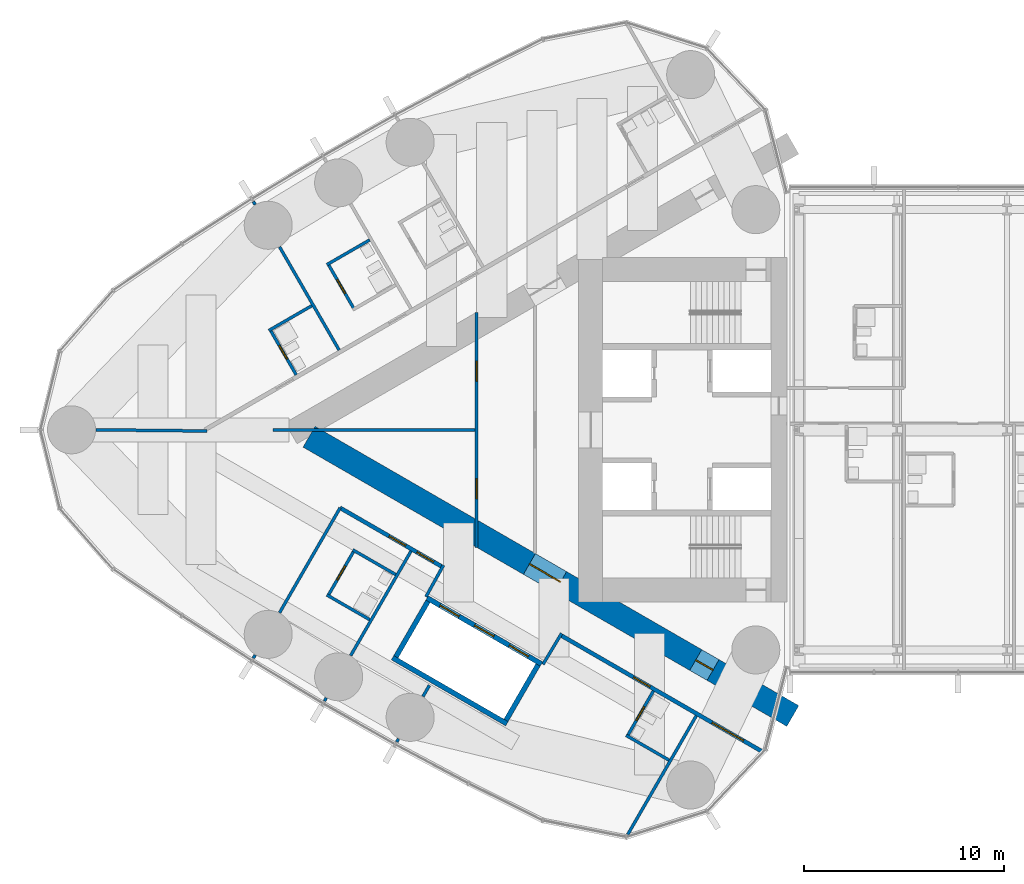
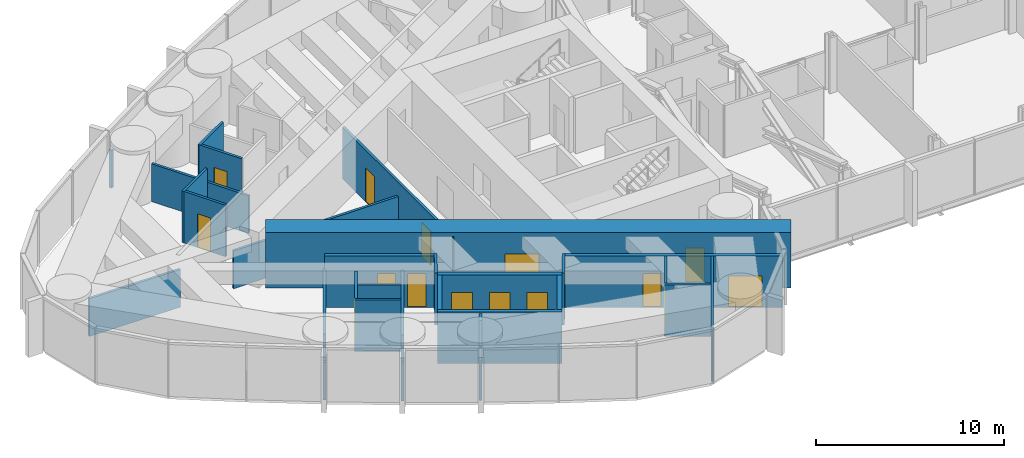
# One storey, part 15 of 24: 30 walls, 15 doors, 15 openings.
"""IFC4 building model written with IfcOpenShell, lengths in metres."""

from ifc_helpers import new_model, si_unit, direction, frame, frame_2d, origin, place, context, subcontext, project, spatial, rectangle, extrude, material, layer, layer_set, type_object, element, fill, save


model = new_model("IFC4")

# Units and contexts
model_context = context("Model", 3, precision=1e-05, world=origin(), true_north=direction((0.0, 1.0)))
body_context = subcontext(model_context, "Body", "Model", "MODEL_VIEW")
ifc_project = project(units=[si_unit("LENGTHUNIT", "METRE"), si_unit("AREAUNIT", "SQUARE_METRE"), si_unit("VOLUMEUNIT", "CUBIC_METRE"), si_unit("PLANEANGLEUNIT", "RADIAN"), si_unit("MASSUNIT", "GRAM", prefix="KILO")], contexts=[model_context])

# Site, building, storey
site_placement = place(None, origin())
site = spatial("IfcSite", under=ifc_project, at=site_placement, CompositionType="ELEMENT")
building_placement = place(site_placement, origin())
building = spatial("IfcBuilding", under=site, at=building_placement, Name="Lancet Gate Hotel", CompositionType="ELEMENT")
storey_placement = place(building_placement, frame((0.0, 0.0, 236.89990234375)))
storey = spatial("IfcBuildingStorey", under=building, at=storey_placement, Name="L63", CompositionType="ELEMENT", Elevation=236.89990234375)

# Wall
ifc_material_1 = material(Name="Moisture resistant board partition")
ifc_layer_1 = layer(ifc_material_1, 0.14990234375)
ifc_layer_set_1 = layer_set([ifc_layer_1], Name="Bathroom wall 150")
wall_type_1 = type_object("IfcWallType", Name="Bathroom wall 150", PredefinedType="PARTITIONING", material=ifc_layer_set_1)
wall_1_placement = place(storey_placement, frame((-48.338623046875, 9.485595703125, 0.0), z_axis=(0.0, 0.0, 1.0), x_axis=(-0.866006523861, -0.500032699561, 0.0)))
element("IfcWall", 1, at=wall_1_placement, inside=storey, type_object=wall_type_1, Name="T1 bathroom wall 150 L63", PredefinedType="PARTITIONING", context=body_context, shape_type="SweptSolid", body=[
    extrude(rectangle(XDim=2.474853515625, YDim=0.14990234375, at=frame_2d((1.2373046875, 0.0))), origin(), (0.0, 0.0, 1.0), 3.35009765625),
])

# Wall, opening, door
wall_2_placement = place(storey_placement, frame((-49.116943359375, 6.033935546875, 0.0), z_axis=(0.0, 0.0, 1.0), x_axis=(-0.500006934395, 0.866021400173, 0.0)))
wall_2 = element("IfcWall", 2, at=wall_2_placement, inside=storey, type_object=wall_type_1, Name="T1 bathroom wall 150 L63", PredefinedType="PARTITIONING", context=body_context, shape_type="SweptSolid", body=[
    extrude(rectangle(XDim=2.60009765625, YDim=0.14990234375, at=frame_2d((1.300048828125, 0.0))), origin(), (0.0, 0.0, 1.0), 3.35009765625),
])
opening_1_placement = place(wall_2_placement, frame((0.89990234375, 0.0, 0.0)))
opening_1 = element("IfcOpeningElement", 3, at=opening_1_placement, cuts=wall_2, Name="Opening 6304-B", PredefinedType="OPENING", context=body_context, shape_type="SweptSolid", body=[
    extrude(rectangle(XDim=0.800048828125, YDim=2.199951171875, at=frame_2d((0.39990234375, 1.10009765625))), frame((0.0, 0.0849609375, 0.0), z_axis=(0.0, -1.0, 0.0), x_axis=(1.0, 0.0, 0.0)), (0.0, 0.0, 1.0), 0.169921875),
])
ifc_material_2 = material(Name="Timber door set", Category="wood")
door_type_1 = type_object("IfcDoorType", Name="Bathroom door 800", OperationType="SINGLE_SWING_RIGHT", PredefinedType="DOOR", material=ifc_material_2)
door_1_placement = place(opening_1_placement, origin())
door_1 = element("IfcDoor", 4, at=door_1_placement, inside=storey, type_object=door_type_1, Name="6304-B", OperationType="SINGLE_SWING_RIGHT", OverallHeight=2.199951171875, OverallWidth=0.800048828125, PredefinedType="DOOR", context=body_context, shape_type="SweptSolid", body=[
    extrude(rectangle(XDim=0.800048828125, YDim=2.199951171875, at=frame_2d((0.39990234375, 1.10009765625))), frame((0.0, 0.02490234375, 0.0), z_axis=(0.0, -1.0, 0.0), x_axis=(1.0, 0.0, 0.0)), (0.0, 0.0, 1.0), 0.050048828125),
])
fill(opening_1, door_1)

# Wall
wall_3_placement = place(storey_placement, frame((-51.231201171875, 6.198974609375, 0.0), z_axis=(0.0, 0.0, 1.0), x_axis=(-0.866031185235, -0.4999899861, 0.0)))
element("IfcWall", 5, at=wall_3_placement, inside=storey, type_object=wall_type_1, Name="T1 bathroom wall 150 L63", PredefinedType="PARTITIONING", context=body_context, shape_type="SweptSolid", body=[
    extrude(rectangle(XDim=2.47509765625, YDim=0.14990234375, at=frame_2d((1.237548828125, 0.0))), origin(), (0.0, 0.0, 1.0), 3.35009765625),
])

# Wall, opening, door
wall_4_placement = place(storey_placement, frame((-52.009765625, 2.747314453125, 0.0), z_axis=(0.0, 0.0, 1.0), x_axis=(-0.500006934395, 0.866021400173, 0.0)))
wall_4 = element("IfcWall", 6, at=wall_4_placement, inside=storey, type_object=wall_type_1, Name="T1 bathroom wall 150 L63", PredefinedType="PARTITIONING", context=body_context, shape_type="SweptSolid", body=[
    extrude(rectangle(XDim=2.60009765625, YDim=0.14990234375, at=frame_2d((1.300048828125, 0.0))), origin(), (0.0, 0.0, 1.0), 3.35009765625),
])
opening_2_placement = place(wall_4_placement, frame((0.89990234375, 0.0, 0.0)))
opening_2 = element("IfcOpeningElement", 7, at=opening_2_placement, cuts=wall_4, Name="Opening 6305-B", PredefinedType="OPENING", context=body_context, shape_type="SweptSolid", body=[
    extrude(rectangle(XDim=0.800048828125, YDim=2.199951171875, at=frame_2d((0.39990234375, 1.10009765625))), frame((0.0, 0.0849609375, 0.0), z_axis=(0.0, -1.0, 0.0), x_axis=(1.0, 0.0, 0.0)), (0.0, 0.0, 1.0), 0.169921875),
])
door_2_placement = place(opening_2_placement, origin())
door_2 = element("IfcDoor", 8, at=door_2_placement, inside=storey, type_object=door_type_1, Name="6305-B", OperationType="SINGLE_SWING_RIGHT", OverallHeight=2.199951171875, OverallWidth=0.800048828125, PredefinedType="DOOR", context=body_context, shape_type="SweptSolid", body=[
    extrude(rectangle(XDim=0.800048828125, YDim=2.199951171875, at=frame_2d((0.39990234375, 1.10009765625))), frame((0.0, 0.02490234375, 0.0), z_axis=(0.0, -1.0, 0.0), x_axis=(1.0, 0.0, 0.0)), (0.0, 0.0, 1.0), 0.050048828125),
])
fill(opening_2, door_2)

# Wall
wall_5_placement = place(storey_placement, frame((-48.338623046875, -9.485595703125, 0.0), z_axis=(0.0, 0.0, 1.0), x_axis=(-0.866006523861, 0.500032699561, 0.0)))
element("IfcWall", 9, at=wall_5_placement, inside=storey, type_object=wall_type_1, Name="T1 bathroom wall 150 L63", PredefinedType="PARTITIONING", context=body_context, shape_type="SweptSolid", body=[
    extrude(rectangle(XDim=2.474853515625, YDim=0.14990234375, at=frame_2d((1.2373046875, 0.0))), origin(), (0.0, 0.0, 1.0), 3.35009765625),
])

# Wall, opening, door
wall_6_placement = place(storey_placement, frame((-49.116943359375, -6.033935546875, 0.0), z_axis=(0.0, 0.0, 1.0), x_axis=(-0.500006934395, -0.866021400173, 0.0)))
wall_6 = element("IfcWall", 10, at=wall_6_placement, inside=storey, type_object=wall_type_1, Name="T1 bathroom wall 150 L63", PredefinedType="PARTITIONING", context=body_context, shape_type="SweptSolid", body=[
    extrude(rectangle(XDim=2.60009765625, YDim=0.14990234375, at=frame_2d((1.300048828125, 0.0))), origin(), (0.0, 0.0, 1.0), 3.35009765625),
])
opening_3_placement = place(wall_6_placement, frame((0.89990234375, 0.0, 0.0)))
opening_3 = element("IfcOpeningElement", 11, at=opening_3_placement, cuts=wall_6, Name="Opening 6307-B", PredefinedType="OPENING", context=body_context, shape_type="SweptSolid", body=[
    extrude(rectangle(XDim=0.800048828125, YDim=2.199951171875, at=frame_2d((0.39990234375, 1.10009765625))), frame((0.0, 0.0849609375, 0.0), z_axis=(0.0, -1.0, 0.0), x_axis=(1.0, 0.0, 0.0)), (0.0, 0.0, 1.0), 0.169921875),
])
door_3_placement = place(opening_3_placement, origin())
door_3 = element("IfcDoor", 12, at=door_3_placement, inside=storey, type_object=door_type_1, Name="6307-B", OperationType="SINGLE_SWING_RIGHT", OverallHeight=2.199951171875, OverallWidth=0.800048828125, PredefinedType="DOOR", context=body_context, shape_type="SweptSolid", body=[
    extrude(rectangle(XDim=0.800048828125, YDim=2.199951171875, at=frame_2d((0.39990234375, 1.10009765625))), frame((0.0, 0.02490234375, 0.0), z_axis=(0.0, -1.0, 0.0), x_axis=(1.0, 0.0, 0.0)), (0.0, 0.0, 1.0), 0.050048828125),
])
fill(opening_3, door_3)

# Walls
wall_7_placement = place(storey_placement, frame((-47.03857421875, -7.23388671875, 0.0), z_axis=(0.0, 0.0, 1.0), x_axis=(-0.866073894602, 0.499916002032, 0.0)))
element("IfcWall", 13, at=wall_7_placement, inside=storey, type_object=wall_type_1, Name="T1 bathroom wall 150 L63", PredefinedType="PARTITIONING", context=body_context, shape_type="SweptSolid", body=[
    extrude(rectangle(XDim=2.47509765625, YDim=0.14990234375, at=frame_2d((1.237548828125, 0.0))), origin(), (0.0, 0.0, 1.0), 2.5),
])
wall_8_placement = place(storey_placement, frame((-33.38671875, -16.501708984375, 0.0), z_axis=(0.0, 0.0, 1.0), x_axis=(-0.866006523861, 0.500032699561, 0.0)))
element("IfcWall", 14, at=wall_8_placement, inside=storey, type_object=wall_type_1, Name="T1 bathroom wall 150 L63", PredefinedType="PARTITIONING", context=body_context, shape_type="SweptSolid", body=[
    extrude(rectangle(XDim=2.474853515625, YDim=0.14990234375, at=frame_2d((1.2373046875, 0.0))), origin(), (0.0, 0.0, 1.0), 3.35009765625),
])

# Wall, opening, door
wall_9_placement = place(storey_placement, frame((-34.1650390625, -13.050048828125, 0.0), z_axis=(0.0, 0.0, 1.0), x_axis=(-0.500047596559, -0.865997922154, 0.0)))
wall_9 = element("IfcWall", 15, at=wall_9_placement, inside=storey, type_object=wall_type_1, Name="T1 bathroom wall 150 L63", PredefinedType="PARTITIONING", context=body_context, shape_type="SweptSolid", body=[
    extrude(rectangle(XDim=2.599853515625, YDim=0.14990234375, at=frame_2d((1.2998046875, 0.0))), origin(), (0.0, 0.0, 1.0), 3.35009765625),
])
opening_4_placement = place(wall_9_placement, frame((0.89990234375, 0.0, 0.0)))
opening_4 = element("IfcOpeningElement", 16, at=opening_4_placement, cuts=wall_9, Name="Opening 6309-B", PredefinedType="OPENING", context=body_context, shape_type="SweptSolid", body=[
    extrude(rectangle(XDim=0.800048828125, YDim=2.199951171875, at=frame_2d((0.39990234375, 1.10009765625))), frame((0.0, 0.0849609375, 0.0), z_axis=(0.0, -1.0, 0.0), x_axis=(1.0, 0.0, 0.0)), (0.0, 0.0, 1.0), 0.169921875),
])
door_4_placement = place(opening_4_placement, origin())
door_4 = element("IfcDoor", 17, at=door_4_placement, inside=storey, type_object=door_type_1, Name="6309-B", OperationType="SINGLE_SWING_RIGHT", OverallHeight=2.199951171875, OverallWidth=0.800048828125, PredefinedType="DOOR", context=body_context, shape_type="SweptSolid", body=[
    extrude(rectangle(XDim=0.800048828125, YDim=2.199951171875, at=frame_2d((0.39990234375, 1.10009765625))), frame((0.0, 0.02490234375, 0.0), z_axis=(0.0, -1.0, 0.0), x_axis=(1.0, 0.0, 0.0)), (0.0, 0.0, 1.0), 0.050048828125),
])
fill(opening_4, door_4)

# Wall, openings, doors
ifc_material_3 = material(Name="Concrete C70/85", Category="concrete")
ifc_layer_2 = layer(ifc_material_3, 1.199951171875)
ifc_layer_set_2 = layer_set([ifc_layer_2], Name="Buttress wall 1200")
wall_type_2 = type_object("IfcWallType", Name="Buttress wall 1200", PredefinedType="SHEAR", material=ifc_layer_set_2)
wall_10_placement = place(storey_placement, frame((-27.199951171875, -14.300048828125, 0.0), z_axis=(0.0, 0.0, 1.0), x_axis=(-0.866024021859, 0.500002393557, 0.0)))
wall_10 = element("IfcWall", 18, at=wall_10_placement, inside=storey, type_object=wall_type_2, Name="T1 buttress wall N L63", PredefinedType="SHEAR", context=body_context, shape_type="SweptSolid", body=[
    extrude(rectangle(XDim=27.906982421875, YDim=1.199951171875, at=frame_2d((13.95361328125, 0.0))), origin(), (0.0, 0.0, 1.0), 3.60009765625),
])
opening_5_placement = place(wall_10_placement, frame((4.60009765625, 0.0, 0.0)))
opening_5 = element("IfcOpeningElement", 19, at=opening_5_placement, cuts=wall_10, Name="Opening T1-L63-LN", PredefinedType="OPENING", context=body_context, shape_type="SweptSolid", body=[
    extrude(rectangle(XDim=1.0, YDim=2.199951171875, at=frame_2d((0.5, 1.10009765625))), frame((0.0, 0.60986328125, 0.0), z_axis=(0.0, -1.0, 0.0), x_axis=(1.0, 0.0, 0.0)), (0.0, 0.0, 1.0), 1.219970703125),
])
opening_6_placement = place(wall_10_placement, frame((13.39453125, 0.0, 0.0)))
opening_6 = element("IfcOpeningElement", 20, at=opening_6_placement, cuts=wall_10, Name="Opening T1-L63-LHN", PredefinedType="OPENING", context=body_context, shape_type="SweptSolid", body=[
    extrude(rectangle(XDim=1.800048828125, YDim=2.199951171875, at=frame_2d((0.89990234375, 1.10009765625))), frame((0.0, 0.60986328125, 0.0), z_axis=(0.0, -1.0, 0.0), x_axis=(1.0, 0.0, 0.0)), (0.0, 0.0, 1.0), 1.219970703125),
])
ifc_material_4 = material(Name="Timber door set", Category="wood")
door_type_2 = type_object("IfcDoorType", Name="Lobby double door 1800", OperationType="DOUBLE_DOOR_SINGLE_SWING", PredefinedType="DOOR", material=ifc_material_4)
door_5_placement = place(opening_6_placement, origin())
door_5 = element("IfcDoor", 21, at=door_5_placement, inside=storey, type_object=door_type_2, Name="T1-L63-LHN", OperationType="DOUBLE_DOOR_SINGLE_SWING", OverallHeight=2.199951171875, OverallWidth=1.800048828125, PredefinedType="DOOR", context=body_context, shape_type="SweptSolid", body=[
    extrude(rectangle(XDim=1.800048828125, YDim=2.199951171875, at=frame_2d((0.89990234375, 1.10009765625))), frame((0.0, 0.02490234375, 0.0), z_axis=(0.0, -1.0, 0.0), x_axis=(1.0, 0.0, 0.0)), (0.0, 0.0, 1.0), 0.050048828125),
])
fill(opening_6, door_5)
ifc_material_5 = material(Name="Timber door set", Category="wood")
door_type_3 = type_object("IfcDoorType", Name="Stair lobby door 1000", OperationType="SINGLE_SWING_LEFT", PredefinedType="DOOR", material=ifc_material_5)
door_6_placement = place(opening_5_placement, origin())
door_6 = element("IfcDoor", 22, at=door_6_placement, inside=storey, type_object=door_type_3, Name="T1-L63-LN", OperationType="SINGLE_SWING_LEFT", OverallHeight=2.199951171875, OverallWidth=1.0, PredefinedType="DOOR", context=body_context, shape_type="SweptSolid", body=[
    extrude(rectangle(XDim=1.0, YDim=2.199951171875, at=frame_2d((0.5, 1.10009765625))), frame((0.0, 0.02490234375, 0.0), z_axis=(0.0, -1.0, 0.0), x_axis=(1.0, 0.0, 0.0)), (0.0, 0.0, 1.0), 0.050048828125),
])
fill(opening_5, door_6)

ifc_material_6 = material(Name="Gypsum board partition")
ifc_layer_3 = layer(ifc_material_6, 0.199951171875)
ifc_layer_set_3 = layer_set([ifc_layer_3], Name="Corridor wall 200")
wall_type_3 = type_object("IfcWallType", Name="Corridor wall 200", PredefinedType="PARTITIONING", material=ifc_layer_set_3)
wall_11_placement = place(storey_placement, frame((-28.737060546875, -16.068359375, 0.0), z_axis=(0.0, 0.0, 1.0), x_axis=(-0.866029399323, 0.49999307946, 0.0)))
wall_11 = element("IfcWall", 23, at=wall_11_placement, inside=storey, type_object=wall_type_3, Name="T1 corridor wall 200 L63", PredefinedType="PARTITIONING", context=body_context, shape_type="SweptSolid", body=[
    extrude(rectangle(XDim=11.609619140625, YDim=0.199951171875, at=frame_2d((5.8046875, 0.0))), origin(), (0.0, 0.0, 1.0), 3.35009765625),
])
opening_7_placement = place(wall_11_placement, frame((1.080078125, 0.0, 0.0)))
opening_7 = element("IfcOpeningElement", 24, at=opening_7_placement, cuts=wall_11, Name="Opening 6310-E", PredefinedType="OPENING", context=body_context, shape_type="SweptSolid", body=[
    extrude(rectangle(XDim=1.800048828125, YDim=2.030029296875, at=frame_2d((0.89990234375, 1.01513671875))), frame((0.0, 0.10986328125, 0.0), z_axis=(0.0, -1.0, 0.0), x_axis=(1.0, 0.0, 0.0)), (0.0, 0.0, 1.0), 0.219970703125),
])
opening_8_placement = place(wall_11_placement, frame((6.460205078125, 0.0, 0.0)))
opening_8 = element("IfcOpeningElement", 25, at=opening_8_placement, cuts=wall_11, Name="Opening 6309-E", PredefinedType="OPENING", context=body_context, shape_type="SweptSolid", body=[
    extrude(rectangle(XDim=0.949951171875, YDim=2.199951171875, at=frame_2d((0.47509765625, 1.10009765625))), frame((0.0, 0.10986328125, 0.0), z_axis=(0.0, -1.0, 0.0), x_axis=(1.0, 0.0, 0.0)), (0.0, 0.0, 1.0), 0.219970703125),
])
ifc_material_7 = material(Name="Timber door set", Category="wood")
door_type_4 = type_object("IfcDoorType", Name="Double door 1800, 2030 high", OperationType="DOUBLE_DOOR_SINGLE_SWING", PredefinedType="DOOR", material=ifc_material_7)
door_7_placement = place(opening_7_placement, origin())
door_7 = element("IfcDoor", 26, at=door_7_placement, inside=storey, type_object=door_type_4, Name="6310-E", OperationType="DOUBLE_DOOR_SINGLE_SWING", OverallHeight=2.030029296875, OverallWidth=1.800048828125, PredefinedType="DOOR", context=body_context, shape_type="SweptSolid", body=[
    extrude(rectangle(XDim=1.800048828125, YDim=2.030029296875, at=frame_2d((0.89990234375, 1.01513671875))), frame((0.0, 0.02490234375, 0.0), z_axis=(0.0, -1.0, 0.0), x_axis=(1.0, 0.0, 0.0)), (0.0, 0.0, 1.0), 0.050048828125),
])
fill(opening_7, door_7)
ifc_material_8 = material(Name="Timber door set", Category="wood")
door_type_5 = type_object("IfcDoorType", Name="Guest room entry door 950", OperationType="SINGLE_SWING_LEFT", PredefinedType="DOOR", material=ifc_material_8)
door_8_placement = place(opening_8_placement, origin())
door_8 = element("IfcDoor", 27, at=door_8_placement, inside=storey, type_object=door_type_5, Name="6309-E", OperationType="SINGLE_SWING_LEFT", OverallHeight=2.199951171875, OverallWidth=0.949951171875, PredefinedType="DOOR", context=body_context, shape_type="SweptSolid", body=[
    extrude(rectangle(XDim=0.949951171875, YDim=2.199951171875, at=frame_2d((0.47509765625, 1.10009765625))), frame((0.0, 0.02490234375, 0.0), z_axis=(0.0, -1.0, 0.0), x_axis=(1.0, 0.0, 0.0)), (0.0, 0.0, 1.0), 0.050048828125),
])
fill(opening_8, door_8)

wall_12_placement = place(storey_placement, frame((-44.715087890625, -6.843505859375, 0.0), z_axis=(0.0, 0.0, 1.0), x_axis=(-0.866020627653, 0.50000827241, 0.0)))
wall_12 = element("IfcWall", 28, at=wall_12_placement, inside=storey, type_object=wall_type_3, Name="T1 corridor wall 200 L63", PredefinedType="PARTITIONING", context=body_context, shape_type="SweptSolid", body=[
    extrude(rectangle(XDim=5.890625, YDim=0.199951171875, at=frame_2d((2.9453125, 0.0))), origin(), (0.0, 0.0, 1.0), 3.35009765625),
])
opening_9_placement = place(wall_12_placement, frame((2.116943359375, 0.0, 0.0)))
opening_9 = element("IfcOpeningElement", 29, at=opening_9_placement, cuts=wall_12, Name="Opening 6307-E", PredefinedType="OPENING", context=body_context, shape_type="SweptSolid", body=[
    extrude(rectangle(XDim=0.949951171875, YDim=2.199951171875, at=frame_2d((0.47509765625, 1.10009765625))), frame((0.0, 0.10986328125, 0.0), z_axis=(0.0, -1.0, 0.0), x_axis=(1.0, 0.0, 0.0)), (0.0, 0.0, 1.0), 0.219970703125),
])
opening_10_placement = place(wall_12_placement, frame((0.5, 0.0, 0.0)))
opening_10 = element("IfcOpeningElement", 30, at=opening_10_placement, cuts=wall_12, Name="Opening T1-L63-LO1", PredefinedType="OPENING", context=body_context, shape_type="SweptSolid", body=[
    extrude(rectangle(XDim=0.967041015625, YDim=2.199951171875, at=frame_2d((0.4833984375, 1.10009765625))), frame((0.0, 0.10986328125, 0.0), z_axis=(0.0, -1.0, 0.0), x_axis=(1.0, 0.0, 0.0)), (0.0, 0.0, 1.0), 0.219970703125),
])
door_9_placement = place(opening_9_placement, origin())
door_9 = element("IfcDoor", 31, at=door_9_placement, inside=storey, type_object=door_type_5, Name="6307-E", OperationType="SINGLE_SWING_LEFT", OverallHeight=2.199951171875, OverallWidth=0.949951171875, PredefinedType="DOOR", context=body_context, shape_type="SweptSolid", body=[
    extrude(rectangle(XDim=0.949951171875, YDim=2.199951171875, at=frame_2d((0.47509765625, 1.10009765625))), frame((0.0, 0.02490234375, 0.0), z_axis=(0.0, -1.0, 0.0), x_axis=(1.0, 0.0, 0.0)), (0.0, 0.0, 1.0), 0.050048828125),
])
fill(opening_9, door_9)
door_10_placement = place(opening_10_placement, origin())
door_10 = element("IfcDoor", 32, at=door_10_placement, inside=storey, type_object=door_type_5, Name="T1-L63-LO1", OperationType="SINGLE_SWING_LEFT", OverallHeight=2.199951171875, OverallWidth=0.967041015625, PredefinedType="DOOR", context=body_context, shape_type="SweptSolid", body=[
    extrude(rectangle(XDim=0.967041015625, YDim=2.199951171875, at=frame_2d((0.4833984375, 1.10009765625))), frame((0.0, 0.02490234375, 0.0), z_axis=(0.0, -1.0, 0.0), x_axis=(1.0, 0.0, 0.0)), (0.0, 0.0, 1.0), 0.050048828125),
])
fill(opening_10, door_10)

ifc_material_9 = material(Name="Gypsum board partition")
ifc_layer_4 = layer(ifc_material_9, 0.25)
ifc_layer_set_4 = layer_set([ifc_layer_4], Name="Lift shaft partition 250")
wall_type_4 = type_object("IfcWallType", Name="Lift shaft partition 250", PredefinedType="PARTITIONING", material=ifc_layer_set_4)
wall_13_placement = place(storey_placement, frame((-39.757568359375, -11.697265625, 0.0), z_axis=(0.0, 0.0, 1.0), x_axis=(-0.866024194504, 0.500002094529, 0.0)))
wall_13 = element("IfcWall", 33, at=wall_13_placement, inside=storey, type_object=wall_type_4, Name="T1 lift shaft wall HL L63", PredefinedType="PARTITIONING", context=body_context, shape_type="SweptSolid", body=[
    extrude(rectangle(XDim=6.60009765625, YDim=0.25, at=frame_2d((3.300048828125, 0.0))), origin(), (0.0, 0.0, 1.0), 3.35009765625),
])
opening_11_placement = place(wall_13_placement, frame((0.75, 0.0, 0.0)))
opening_11 = element("IfcOpeningElement", 34, at=opening_11_placement, cuts=wall_13, Name="Opening T1-HL1-L63", PredefinedType="OPENING", context=body_context, shape_type="SweptSolid", body=[
    extrude(rectangle(XDim=1.10009765625, YDim=2.199951171875, at=frame_2d((0.550048828125, 1.10009765625))), frame((0.0, 0.135009765625, 0.0), z_axis=(0.0, -1.0, 0.0), x_axis=(1.0, 0.0, 0.0)), (0.0, 0.0, 1.0), 0.27001953125),
])
opening_12_placement = place(wall_13_placement, frame((2.75, 0.0, 0.0)))
opening_12 = element("IfcOpeningElement", 35, at=opening_12_placement, cuts=wall_13, Name="Opening T1-HL2-L63", PredefinedType="OPENING", context=body_context, shape_type="SweptSolid", body=[
    extrude(rectangle(XDim=1.10009765625, YDim=2.199951171875, at=frame_2d((0.550048828125, 1.10009765625))), frame((0.0, 0.135009765625, 0.0), z_axis=(0.0, -1.0, 0.0), x_axis=(1.0, 0.0, 0.0)), (0.0, 0.0, 1.0), 0.27001953125),
])
opening_13_placement = place(wall_13_placement, frame((4.75, 0.0, 0.0)))
opening_13 = element("IfcOpeningElement", 36, at=opening_13_placement, cuts=wall_13, Name="Opening T1-HL3-L63", PredefinedType="OPENING", context=body_context, shape_type="SweptSolid", body=[
    extrude(rectangle(XDim=1.10009765625, YDim=2.199951171875, at=frame_2d((0.550048828125, 1.10009765625))), frame((0.0, 0.135009765625, 0.0), z_axis=(0.0, -1.0, 0.0), x_axis=(1.0, 0.0, 0.0)), (0.0, 0.0, 1.0), 0.27001953125),
])
ifc_material_10 = material(Name="Steel door set", Category="steel")
door_type_6 = type_object("IfcDoorType", Name="Lift landing door 1100", OperationType="DOUBLE_DOOR_SLIDING", PredefinedType="USERDEFINED", material=ifc_material_10)
door_11_placement = place(opening_11_placement, origin())
door_11 = element("IfcDoor", 37, at=door_11_placement, inside=storey, type_object=door_type_6, Name="T1-HL1-L63", ObjectType="LIFT LANDING DOOR", OperationType="DOUBLE_DOOR_SLIDING", OverallHeight=2.199951171875, OverallWidth=1.10009765625, PredefinedType="USERDEFINED", context=body_context, shape_type="SweptSolid", body=[
    extrude(rectangle(XDim=1.10009765625, YDim=2.199951171875, at=frame_2d((0.550048828125, 1.10009765625))), frame((0.0, 0.02490234375, 0.0), z_axis=(0.0, -1.0, 0.0), x_axis=(1.0, 0.0, 0.0)), (0.0, 0.0, 1.0), 0.050048828125),
])
fill(opening_11, door_11)
door_12_placement = place(opening_12_placement, origin())
door_12 = element("IfcDoor", 38, at=door_12_placement, inside=storey, type_object=door_type_6, Name="T1-HL2-L63", ObjectType="LIFT LANDING DOOR", OperationType="DOUBLE_DOOR_SLIDING", OverallHeight=2.199951171875, OverallWidth=1.10009765625, PredefinedType="USERDEFINED", context=body_context, shape_type="SweptSolid", body=[
    extrude(rectangle(XDim=1.10009765625, YDim=2.199951171875, at=frame_2d((0.550048828125, 1.10009765625))), frame((0.0, 0.02490234375, 0.0), z_axis=(0.0, -1.0, 0.0), x_axis=(1.0, 0.0, 0.0)), (0.0, 0.0, 1.0), 0.050048828125),
])
fill(opening_12, door_12)
door_13_placement = place(opening_13_placement, origin())
door_13 = element("IfcDoor", 39, at=door_13_placement, inside=storey, type_object=door_type_6, Name="T1-HL3-L63", ObjectType="LIFT LANDING DOOR", OperationType="DOUBLE_DOOR_SLIDING", OverallHeight=2.199951171875, OverallWidth=1.10009765625, PredefinedType="USERDEFINED", context=body_context, shape_type="SweptSolid", body=[
    extrude(rectangle(XDim=1.10009765625, YDim=2.199951171875, at=frame_2d((0.550048828125, 1.10009765625))), frame((0.0, 0.02490234375, 0.0), z_axis=(0.0, -1.0, 0.0), x_axis=(1.0, 0.0, 0.0)), (0.0, 0.0, 1.0), 0.050048828125),
])
fill(opening_13, door_13)

# Walls
wall_14_placement = place(storey_placement, frame((-41.482421875, -14.685791015625, 0.0), z_axis=(0.0, 0.0, 1.0), x_axis=(-0.86603344179, 0.499986077507, 0.0)))
element("IfcWall", 40, at=wall_14_placement, inside=storey, type_object=wall_type_4, Name="T1 lift shaft wall HL L63", PredefinedType="PARTITIONING", context=body_context, shape_type="SweptSolid", body=[
    extrude(rectangle(XDim=6.600341796875, YDim=0.25, at=frame_2d((3.30029296875, 0.0))), origin(), (0.0, 0.0, 1.0), 3.35009765625),
])
for number, where, z_axis, x_axis, name in (
    (41, (-39.92822265625, -11.742919921875, 0.0), (0.0, 0.0, 1.0), (-0.499929347863, -0.866066190972, 0.0), "T1 lift shaft wall HL L63"),
    (42, (-45.427734375, -8.568115234375, 0.0), (0.0, 0.0, 1.0), (-0.499929347863, -0.866066190972, 0.0), "T1 lift shaft wall HL L63"),
):
    element("IfcWall", number, at=place(storey_placement, frame(where, z_axis=z_axis, x_axis=x_axis)), inside=storey, type_object=wall_type_4, Name=name, PredefinedType="PARTITIONING", context=body_context, shape_type="SweptSolid", body=[
        extrude(rectangle(XDim=3.20068359375, YDim=0.25, at=frame_2d((1.600341796875, 0.0))), origin(), (0.0, 0.0, 1.0), 3.35009765625),
    ])
ifc_material_11 = material(Name="Gypsum board partition")
ifc_layer_5 = layer(ifc_material_11, 0.14990234375)
ifc_layer_set_5 = layer_set([ifc_layer_5], Name="Party wall 150")
wall_type_5 = type_object("IfcWallType", Name="Party wall 150", PredefinedType="PARTITIONING", material=ifc_layer_set_5)
wall_15_placement = place(storey_placement, frame((-49.866455078125, 3.98486328125, 0.0), z_axis=(0.0, 0.0, 1.0), x_axis=(-0.500000694566, 0.866025002776, 0.0)))
element("IfcWall", 43, at=wall_15_placement, inside=storey, type_object=wall_type_5, Name="T1 party wall 150 L63", PredefinedType="PARTITIONING", context=body_context, shape_type="SweptSolid", body=[
    extrude(rectangle(XDim=5.94970703125, YDim=0.14990234375, at=frame_2d((2.974853515625, 0.0))), origin(), (0.0, 0.0, 1.0), 2.4501953125),
])
wall_16_placement = place(storey_placement, frame((-54.061279296875, 11.25048828125, 0.0), z_axis=(0.0, 0.0, 1.0), x_axis=(-0.500391173478, 0.865799441849, 0.0)))
element("IfcWall", 44, at=wall_16_placement, inside=storey, type_object=wall_type_5, Name="T1 party wall 150 L63", PredefinedType="PARTITIONING", context=body_context, shape_type="SweptSolid", body=[
    extrude(rectangle(XDim=0.178955078125, YDim=0.14990234375, at=frame_2d((0.08935546875, 0.0))), origin(), (0.0, 0.0, 1.0), 2.4501953125),
])
wall_17_placement = place(storey_placement, frame((-32.021728515625, -14.287353515625, 0.0), z_axis=(0.0, 0.0, 1.0), x_axis=(-0.50000019414, -0.866025291697, 0.0)))
element("IfcWall", 45, at=wall_17_placement, inside=storey, type_object=wall_type_5, Name="T1 party wall 150 L63", PredefinedType="PARTITIONING", context=body_context, shape_type="SweptSolid", body=[
    extrude(rectangle(XDim=6.84814453125, YDim=0.14990234375, at=frame_2d((3.424072265625, 0.0))), origin(), (0.0, 0.0, 1.0), 3.35009765625),
])
wall_18_placement = place(storey_placement, frame((-46.89794921875, -15.438720703125, 0.0), z_axis=(0.0, 0.0, 1.0), x_axis=(-0.500232303069, -0.865891241997, 0.0)))
element("IfcWall", 46, at=wall_18_placement, inside=storey, type_object=wall_type_5, Name="T1 party wall 150 L63", PredefinedType="PARTITIONING", context=body_context, shape_type="SweptSolid", body=[
    extrude(rectangle(XDim=0.1796875, YDim=0.14990234375, at=frame_2d((0.08984375, 0.0))), origin(), (0.0, 0.0, 1.0), 2.4501953125),
])
wall_19_placement = place(storey_placement, frame((-46.273681640625, -6.05908203125, 0.0), z_axis=(0.0, 0.0, 1.0), x_axis=(-0.500020471368, -0.866013584312, 0.0)))
element("IfcWall", 47, at=wall_19_placement, inside=storey, type_object=wall_type_5, Name="T1 party wall 150 L63", PredefinedType="PARTITIONING", context=body_context, shape_type="SweptSolid", body=[
    extrude(rectangle(XDim=6.027587890625, YDim=0.14990234375, at=frame_2d((3.013671875, 0.0))), origin(), (0.0, 0.0, 1.0), 2.4501953125),
])
wall_20_placement = place(storey_placement, frame((-50.507568359375, -13.392333984375, 0.0), z_axis=(0.0, 0.0, 1.0), x_axis=(-0.499644091975, -0.866230789891, 0.0)))
element("IfcWall", 48, at=wall_20_placement, inside=storey, type_object=wall_type_5, Name="T1 party wall 150 L63", PredefinedType="PARTITIONING", context=body_context, shape_type="SweptSolid", body=[
    extrude(rectangle(XDim=0.179931640625, YDim=0.14990234375, at=frame_2d((0.08984375, 0.0))), origin(), (0.0, 0.0, 1.0), 2.4501953125),
])
wall_21_placement = place(storey_placement, frame((-49.81640625, -3.898193359375, 0.0), z_axis=(0.0, 0.0, 1.0), x_axis=(-0.500001913541, -0.866024298998, 0.0)))
element("IfcWall", 49, at=wall_21_placement, inside=storey, type_object=wall_type_5, Name="T1 party wall 150 L63", PredefinedType="PARTITIONING", context=body_context, shape_type="SweptSolid", body=[
    extrude(rectangle(XDim=6.0498046875, YDim=0.14990234375, at=frame_2d((3.02490234375, 0.0))), origin(), (0.0, 0.0, 1.0), 2.4501953125),
])
wall_22_placement = place(storey_placement, frame((-54.061279296875, -11.25048828125, 0.0), z_axis=(0.0, 0.0, 1.0), x_axis=(-0.500391173478, -0.865799441849, 0.0)))
element("IfcWall", 50, at=wall_22_placement, inside=storey, type_object=wall_type_5, Name="T1 party wall 150 L63", PredefinedType="PARTITIONING", context=body_context, shape_type="SweptSolid", body=[
    extrude(rectangle(XDim=0.178955078125, YDim=0.14990234375, at=frame_2d((0.08935546875, 0.0))), origin(), (0.0, 0.0, 1.0), 2.4501953125),
])
wall_23_placement = place(storey_placement, frame((-56.46435546875, -0.06005859375, 0.0), z_axis=(0.0, 0.0, 1.0), x_axis=(-0.999941455167, 0.01082063951, 0.0)))
element("IfcWall", 51, at=wall_23_placement, inside=storey, type_object=wall_type_5, Name="T1 party wall 150 L63", PredefinedType="PARTITIONING", context=body_context, shape_type="SweptSolid", body=[
    extrude(rectangle(XDim=5.55029296875, YDim=0.14990234375, at=frame_2d((2.775146484375, 0.0))), origin(), (0.0, 0.0, 1.0), 2.4501953125),
])
wall_24_placement = place(storey_placement, frame((-45.355712890625, -12.767333984375, 0.0), z_axis=(0.0, 0.0, 1.0), x_axis=(-0.499886366516, -0.866091000168, 0.0)))
element("IfcWall", 52, at=wall_24_placement, inside=storey, type_object=wall_type_5, Name="T1 party wall 150 L63", PredefinedType="PARTITIONING", context=body_context, shape_type="SweptSolid", body=[
    extrude(rectangle(XDim=0.644775390625, YDim=0.14990234375, at=frame_2d((0.322265625, 0.0))), origin(), (0.0, 0.0, 1.0), 3.35009765625),
])
ifc_material_12 = material(Name="Gypsum board partition")
ifc_layer_6 = layer(ifc_material_12, 0.14990234375)
ifc_layer_set_6 = layer_set([ifc_layer_6], Name="Service room wall 150")
wall_type_6 = type_object("IfcWallType", Name="Service room wall 150", PredefinedType="PARTITIONING", material=ifc_layer_set_6)
for number, where, z_axis, x_axis, name in (
    (53, (-39.6826171875, -11.717529296875, 0.0), (0.0, 0.0, 1.0), (0.514336634837, 0.857588377991, 0.0), "T1 service room wall 150 L63"),
    (54, (-44.652099609375, -6.764404296875, 0.0), (0.0, 0.0, 1.0), (-0.485424724123, -0.874278466629, 0.0), "T1 service room wall 150 L63"),
):
    element("IfcWall", number, at=place(storey_placement, frame(where, z_axis=z_axis, x_axis=x_axis)), inside=storey, type_object=wall_type_6, Name=name, PredefinedType="PARTITIONING", context=body_context, shape_type="SweptSolid", body=[
        extrude(rectangle(XDim=1.80517578125, YDim=0.14990234375, at=frame_2d((0.902587890625, 0.0))), origin(), (0.0, 0.0, 1.0), 3.35009765625),
    ])

# Wall, openings, doors
wall_25_placement = place(storey_placement, frame((-43.0, 5.87060546875, 0.0), z_axis=(0.0, 0.0, 1.0), x_axis=(0.0, -1.0, 0.0)))
wall_25 = element("IfcWall", 55, at=wall_25_placement, inside=storey, type_object=wall_type_6, Name="T1 service room wall 150 L63", PredefinedType="PARTITIONING", context=body_context, shape_type="SweptSolid", body=[
    extrude(rectangle(XDim=11.7412109375, YDim=0.14990234375, at=frame_2d((5.87060546875, 0.0))), origin(), (0.0, 0.0, 1.0), 3.35009765625),
])
opening_14_placement = place(wall_25_placement, frame((2.435302734375, 0.0, 0.0)))
opening_14 = element("IfcOpeningElement", 56, at=opening_14_placement, cuts=wall_25, Name="Opening T1-L63-SV", PredefinedType="OPENING", context=body_context, shape_type="SweptSolid", body=[
    extrude(rectangle(XDim=1.0, YDim=2.199951171875, at=frame_2d((0.5, 1.10009765625))), frame((0.0, 0.0849609375, 0.0), z_axis=(0.0, -1.0, 0.0), x_axis=(1.0, 0.0, 0.0)), (0.0, 0.0, 1.0), 0.169921875),
])
opening_15_placement = place(wall_25_placement, frame((8.305908203125, 0.0, 0.0)))
opening_15 = element("IfcOpeningElement", 57, at=opening_15_placement, cuts=wall_25, Name="Opening T1-L63-SV2", PredefinedType="OPENING", context=body_context, shape_type="SweptSolid", body=[
    extrude(rectangle(XDim=1.0, YDim=2.199951171875, at=frame_2d((0.5, 1.10009765625))), frame((0.0, 0.0849609375, 0.0), z_axis=(0.0, -1.0, 0.0), x_axis=(1.0, 0.0, 0.0)), (0.0, 0.0, 1.0), 0.169921875),
])
ifc_material_13 = material(Name="Timber door set", Category="wood")
door_type_7 = type_object("IfcDoorType", Name="Service door 1000", OperationType="SINGLE_SWING_LEFT", PredefinedType="DOOR", material=ifc_material_13)
door_14_placement = place(opening_14_placement, origin())
door_14 = element("IfcDoor", 58, at=door_14_placement, inside=storey, type_object=door_type_7, Name="T1-L63-SV", OperationType="SINGLE_SWING_LEFT", OverallHeight=2.199951171875, OverallWidth=1.0, PredefinedType="DOOR", context=body_context, shape_type="SweptSolid", body=[
    extrude(rectangle(XDim=1.0, YDim=2.199951171875, at=frame_2d((0.5, 1.10009765625))), frame((0.0, 0.02490234375, 0.0), z_axis=(0.0, -1.0, 0.0), x_axis=(1.0, 0.0, 0.0)), (0.0, 0.0, 1.0), 0.050048828125),
])
fill(opening_14, door_14)
door_15_placement = place(opening_15_placement, origin())
door_15 = element("IfcDoor", 59, at=door_15_placement, inside=storey, type_object=door_type_7, Name="T1-L63-SV2", OperationType="SINGLE_SWING_LEFT", OverallHeight=2.199951171875, OverallWidth=1.0, PredefinedType="DOOR", context=body_context, shape_type="SweptSolid", body=[
    extrude(rectangle(XDim=1.0, YDim=2.199951171875, at=frame_2d((0.5, 1.10009765625))), frame((0.0, 0.02490234375, 0.0), z_axis=(0.0, -1.0, 0.0), x_axis=(1.0, 0.0, 0.0)), (0.0, 0.0, 1.0), 0.050048828125),
])
fill(opening_15, door_15)

# Wall
wall_26_placement = place(storey_placement, frame((-43.074951171875, 0.0, 0.0), z_axis=(0.0, 0.0, 1.0), x_axis=(-1.0, 0.0, 0.0)))
element("IfcWall", 60, at=wall_26_placement, inside=storey, type_object=wall_type_6, Name="T1 service room wall 150 L63", PredefinedType="PARTITIONING", context=body_context, shape_type="SweptSolid", body=[
    extrude(rectangle(XDim=10.09326171875, YDim=0.14990234375, at=frame_2d((5.046630859375, 0.0))), origin(), (0.0, 0.0, 1.0), 2.4501953125),
])

save(model, "model.ifc")
